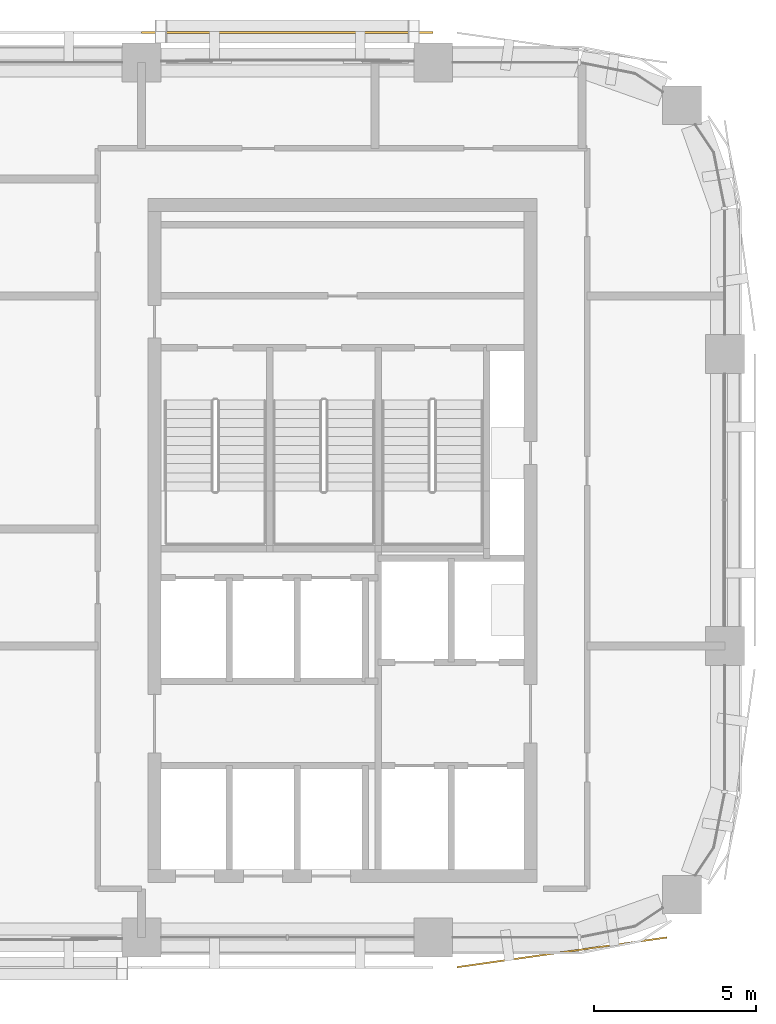
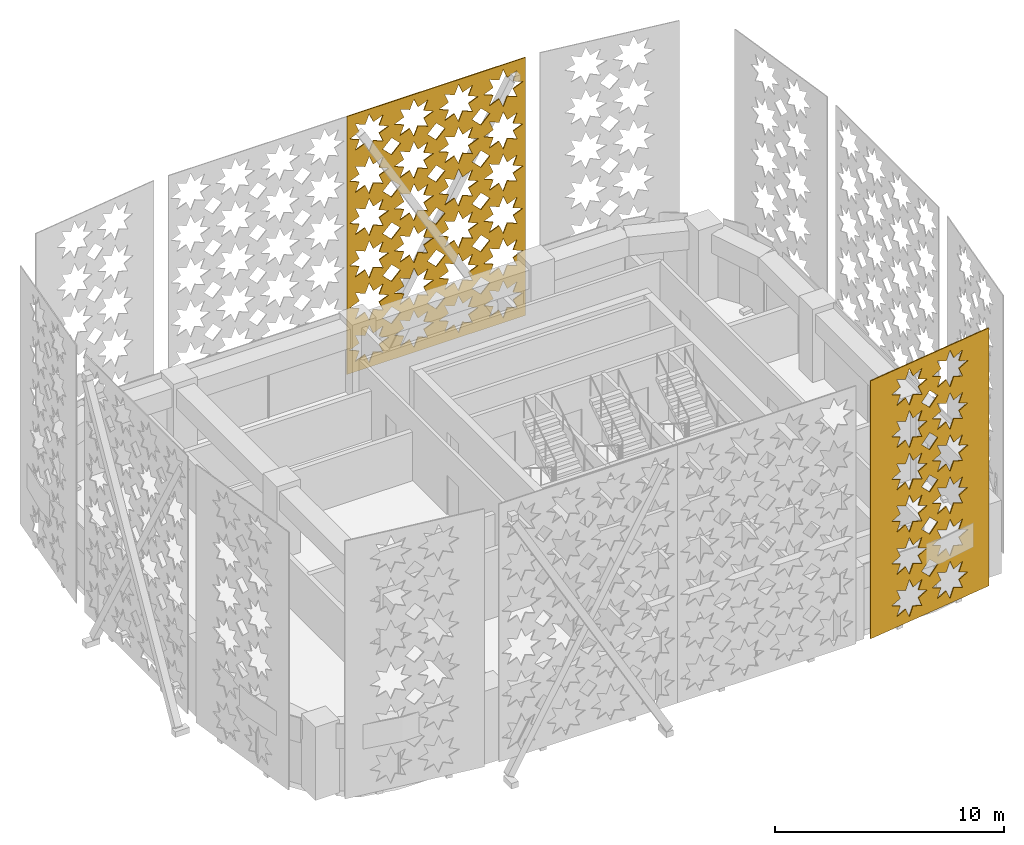
# One storey, part 15 of 17: 2 coverings.
"""IFC4 building model written with IfcOpenShell, lengths in metres."""

from ifc_helpers import new_model, si_unit, direction, frame, origin, place, context, subcontext, project, spatial, polyline, outline, extrude, material, layer, layer_set, type_object, element, save


model = new_model("IFC4")

# Units and contexts
model_context = context("Model", 3, precision=1e-05, world=origin(), true_north=direction((0.0, 1.0)))
body_context = subcontext(model_context, "Body", "Model", "MODEL_VIEW")
ifc_project = project(units=[si_unit("LENGTHUNIT", "METRE"), si_unit("AREAUNIT", "SQUARE_METRE"), si_unit("VOLUMEUNIT", "CUBIC_METRE"), si_unit("PLANEANGLEUNIT", "RADIAN"), si_unit("MASSUNIT", "GRAM", prefix="KILO")], contexts=[model_context])

# Site, building, storey
site_placement = place(None, origin())
site = spatial("IfcSite", under=ifc_project, at=site_placement, CompositionType="ELEMENT")
building_placement = place(site_placement, origin())
building = spatial("IfcBuilding", under=site, at=building_placement, Name="Tessera Arch", CompositionType="ELEMENT")
storey_placement = place(building_placement, frame((0.0, 0.0, 281.300048828125)))
storey = spatial("IfcBuildingStorey", under=building, at=storey_placement, Name="L68", CompositionType="ELEMENT", Elevation=281.300048828125)

# Coverings
ifc_material_1 = material(Name="Anodised aluminium pale metal", Category="aluminium")
ifc_layer_1 = layer(ifc_material_1, 0.050048828125)
ifc_layer_set_1 = layer_set([ifc_layer_1], Name="Pierced screen panel corner bay")
covering_type_1 = type_object("IfcCoveringType", Name="Pierced screen panel corner bay", PredefinedType="CLADDING", material=ifc_layer_set_1)
covering_1_placement = place(storey_placement, frame((45.72607421875, 26.10888671875, 13.89990234375), z_axis=(-0.140074186016, 0.990141011378, 0.0), x_axis=(0.990141011378, 0.140074186016, 0.0)))
element("IfcCovering", 1, at=covering_1_placement, inside=storey, type_object=covering_type_1, Name="SCREEN pierced panel S27.18/3 L68-L70", PredefinedType="CLADDING", context=body_context, shape_type="SweptSolid", body=[
    extrude(outline(polyline([(0.0, 0.0), (6.546475218445481, 0.0), (6.546475218445481, 13.739990234375), (0.0, 13.739990234375), (0.0, 0.0)]), holes=[polyline([(3.1378926073747033, 12.494873046875), (2.646957140062835, 12.287841796875), (2.8479028079497066, 11.794921875), (2.354999273675671, 11.995849609375), (2.147907671256942, 11.5048828125), (1.941990539265672, 11.995849609375), (1.4481200704102128, 11.794921875), (1.6490657382970841, 12.287841796875), (1.158130270985216, 12.494873046875), (1.6490657382970841, 12.701904296875), (1.4481200704102128, 13.195068359375), (1.941990539265672, 12.993896484375), (2.147907671256942, 13.48486328125), (2.354999273675671, 12.993896484375), (2.8479028079497066, 13.195068359375), (2.646957140062835, 12.701904296875), (3.1378926073747033, 12.494873046875)]), polyline([(3.1378926073747033, 10.244873046875), (2.646957140062835, 10.037841796875), (2.8479028079497066, 9.544921875), (2.354999273675671, 9.745849609375), (2.147907671256942, 9.2548828125), (1.941990539265672, 9.745849609375), (1.4481200704102128, 9.544921875), (1.6490657382970841, 10.037841796875), (1.158130270985216, 10.244873046875), (1.6490657382970841, 10.451904296875), (1.4481200704102128, 10.945068359375), (1.941990539265672, 10.743896484375), (2.147907671256942, 11.23486328125), (2.354999273675671, 10.743896484375), (2.8479028079497066, 10.945068359375), (2.646957140062835, 10.451904296875), (3.1378926073747033, 10.244873046875)]), polyline([(3.1378926073747033, 7.994873046875), (2.646957140062835, 7.787841796875), (2.8479028079497066, 7.294921875), (2.354999273675671, 7.495849609375), (2.147907671256942, 7.0048828125), (1.941990539265672, 7.495849609375), (1.4481200704102128, 7.294921875), (1.6490657382970841, 7.787841796875), (1.158130270985216, 7.994873046875), (1.6490657382970841, 8.201904296875), (1.4481200704102128, 8.695068359375), (1.941990539265672, 8.493896484375), (2.147907671256942, 8.98486328125), (2.354999273675671, 8.493896484375), (2.8479028079497066, 8.695068359375), (2.646957140062835, 8.201904296875), (3.1378926073747033, 7.994873046875)]), polyline([(3.1378926073747033, 5.744873046875), (2.646957140062835, 5.537841796875), (2.8479028079497066, 5.044921875), (2.354999273675671, 5.245849609375), (2.147907671256942, 4.7548828125), (1.941990539265672, 5.245849609375), (1.4481200704102128, 5.044921875), (1.6490657382970841, 5.537841796875), (1.158130270985216, 5.744873046875), (1.6490657382970841, 5.951904296875), (1.4481200704102128, 6.445068359375), (1.941990539265672, 6.243896484375), (2.147907671256942, 6.73486328125), (2.354999273675671, 6.243896484375), (2.8479028079497066, 6.445068359375), (2.646957140062835, 5.951904296875), (3.1378926073747033, 5.744873046875)]), polyline([(3.1378926073747033, 3.494873046875), (2.646957140062835, 3.287841796875), (2.8479028079497066, 2.794921875), (2.354999273675671, 2.995849609375), (2.147907671256942, 2.5048828125), (1.941990539265672, 2.995849609375), (1.4481200704102128, 2.794921875), (1.6490657382970841, 3.287841796875), (1.158130270985216, 3.494873046875), (1.6490657382970841, 3.701904296875), (1.4481200704102128, 4.195068359375), (1.941990539265672, 3.993896484375), (2.147907671256942, 4.48486328125), (2.354999273675671, 3.993896484375), (2.8479028079497066, 4.195068359375), (2.646957140062835, 3.701904296875), (3.1378926073747033, 3.494873046875)]), polyline([(3.1378926073747033, 1.244873046875), (2.646957140062835, 1.037841796875), (2.8479028079497066, 0.544921875), (2.354999273675671, 0.745849609375), (2.147907671256942, 0.2548828125), (1.941990539265672, 0.745849609375), (1.4481200704102128, 0.544921875), (1.6490657382970841, 1.037841796875), (1.158130270985216, 1.244873046875), (1.6490657382970841, 1.451904296875), (1.4481200704102128, 1.945068359375), (1.941990539265672, 1.743896484375), (2.147907671256942, 2.23486328125), (2.354999273675671, 1.743896484375), (2.8479028079497066, 1.945068359375), (2.646957140062835, 1.451904296875), (3.1378926073747033, 1.244873046875)]), polyline([(5.387861480169554, 12.494873046875), (4.896926012857686, 12.287841796875), (5.097871680744557, 11.794921875), (4.604968146470521, 11.995849609375), (4.398118277697149, 11.5048828125), (4.191959412060523, 11.995849609375), (3.698088943205064, 11.794921875), (3.899034611091935, 12.287841796875), (3.408099143780067, 12.494873046875), (3.899034611091935, 12.701904296875), (3.698088943205064, 13.195068359375), (4.191959412060523, 12.993896484375), (4.398118277697149, 13.48486328125), (4.604968146470521, 12.993896484375), (5.097871680744557, 13.195068359375), (4.896926012857686, 12.701904296875), (5.387861480169554, 12.494873046875)]), polyline([(5.387861480169554, 10.244873046875), (4.896926012857686, 10.037841796875), (5.097871680744557, 9.544921875), (4.604968146470521, 9.745849609375), (4.398118277697149, 9.2548828125), (4.191959412060523, 9.745849609375), (3.698088943205064, 9.544921875), (3.899034611091935, 10.037841796875), (3.408099143780067, 10.244873046875), (3.899034611091935, 10.451904296875), (3.698088943205064, 10.945068359375), (4.191959412060523, 10.743896484375), (4.398118277697149, 11.23486328125), (4.604968146470521, 10.743896484375), (5.097871680744557, 10.945068359375), (4.896926012857686, 10.451904296875), (5.387861480169554, 10.244873046875)]), polyline([(5.387861480169554, 7.994873046875), (4.896926012857686, 7.787841796875), (5.097871680744557, 7.294921875), (4.604968146470521, 7.495849609375), (4.398118277697149, 7.0048828125), (4.191959412060523, 7.495849609375), (3.698088943205064, 7.294921875), (3.899034611091935, 7.787841796875), (3.408099143780067, 7.994873046875), (3.899034611091935, 8.201904296875), (3.698088943205064, 8.695068359375), (4.191959412060523, 8.493896484375), (4.398118277697149, 8.98486328125), (4.604968146470521, 8.493896484375), (5.097871680744557, 8.695068359375), (4.896926012857686, 8.201904296875), (5.387861480169554, 7.994873046875)]), polyline([(5.387861480169554, 5.744873046875), (4.896926012857686, 5.537841796875), (5.097871680744557, 5.044921875), (4.604968146470521, 5.245849609375), (4.398118277697149, 4.7548828125), (4.191959412060523, 5.245849609375), (3.698088943205064, 5.044921875), (3.899034611091935, 5.537841796875), (3.408099143780067, 5.744873046875), (3.899034611091935, 5.951904296875), (3.698088943205064, 6.445068359375), (4.191959412060523, 6.243896484375), (4.398118277697149, 6.73486328125), (4.604968146470521, 6.243896484375), (5.097871680744557, 6.445068359375), (4.896926012857686, 5.951904296875), (5.387861480169554, 5.744873046875)]), polyline([(5.387861480169554, 3.494873046875), (4.896926012857686, 3.287841796875), (5.097871680744557, 2.794921875), (4.604968146470521, 2.995849609375), (4.398118277697149, 2.5048828125), (4.191959412060523, 2.995849609375), (3.698088943205064, 2.794921875), (3.899034611091935, 3.287841796875), (3.408099143780067, 3.494873046875), (3.899034611091935, 3.701904296875), (3.698088943205064, 4.195068359375), (4.191959412060523, 3.993896484375), (4.398118277697149, 4.48486328125), (4.604968146470521, 3.993896484375), (5.097871680744557, 4.195068359375), (4.896926012857686, 3.701904296875), (5.387861480169554, 3.494873046875)]), polyline([(5.387861480169554, 1.244873046875), (4.896926012857686, 1.037841796875), (5.097871680744557, 0.544921875), (4.604968146470521, 0.745849609375), (4.398118277697149, 0.2548828125), (4.191959412060523, 0.745849609375), (3.698088943205064, 0.544921875), (3.899034611091935, 1.037841796875), (3.408099143780067, 1.244873046875), (3.899034611091935, 1.451904296875), (3.698088943205064, 1.945068359375), (4.191959412060523, 1.743896484375), (4.398118277697149, 2.23486328125), (4.604968146470521, 1.743896484375), (5.097871680744557, 1.945068359375), (4.896926012857686, 1.451904296875), (5.387861480169554, 1.244873046875)]), polyline([(3.7229828105764913, 11.369873046875), (3.272995875577385, 10.919921875), (2.823008940578279, 11.369873046875), (3.272995875577385, 11.820068359375), (3.7229828105764913, 11.369873046875)]), polyline([(3.7229828105764913, 9.119873046875), (3.272995875577385, 8.669921875), (2.823008940578279, 9.119873046875), (3.272995875577385, 9.570068359375), (3.7229828105764913, 9.119873046875)]), polyline([(3.7229828105764913, 6.869873046875), (3.272995875577385, 6.419921875), (2.823008940578279, 6.869873046875), (3.272995875577385, 7.320068359375), (3.7229828105764913, 6.869873046875)]), polyline([(3.7229828105764913, 4.619873046875), (3.272995875577385, 4.169921875), (2.823008940578279, 4.619873046875), (3.272995875577385, 5.070068359375), (3.7229828105764913, 4.619873046875)]), polyline([(3.7229828105764913, 2.369873046875), (3.272995875577385, 1.919921875), (2.823008940578279, 2.369873046875), (3.272995875577385, 2.820068359375), (3.7229828105764913, 2.369873046875)])]), origin(), (0.0, 0.0, -1.0), 0.050048828125),
])
ifc_material_2 = material(Name="Anodised aluminium pale metal", Category="aluminium")
ifc_layer_2 = layer(ifc_material_2, 0.050048828125)
ifc_layer_set_2 = layer_set([ifc_layer_2], Name="Pierced screen panel straight bay")
covering_type_2 = type_object("IfcCoveringType", Name="Pierced screen panel straight bay", PredefinedType="CLADDING", material=ifc_layer_set_2)
covering_2_placement = place(storey_placement, frame((45.0, 54.89990234375, 13.89990234375), z_axis=(0.0, -1.0, 0.0), x_axis=(-1.0, 0.0, 0.0)))
element("IfcCovering", 2, at=covering_2_placement, inside=storey, type_object=covering_type_2, Name="SCREEN pierced panel N54.18/1 L68-L70", PredefinedType="CLADDING", context=body_context, shape_type="SweptSolid", body=[
    extrude(outline(polyline([(0.0, 0.0), (9.0, 0.0), (9.0, 13.739990234375), (0.0, 13.739990234375), (0.0, 0.0)]), holes=[polyline([(2.114990234375, 12.494873046875), (1.6240234375, 12.287841796875), (1.824951171875, 11.794921875), (1.33203125, 11.995849609375), (1.125, 11.5048828125), (0.91796875, 11.995849609375), (0.425048828125, 11.794921875), (0.6259765625, 12.287841796875), (0.135009765625, 12.494873046875), (0.6259765625, 12.701904296875), (0.425048828125, 13.195068359375), (0.91796875, 12.993896484375), (1.125, 13.48486328125), (1.33203125, 12.993896484375), (1.824951171875, 13.195068359375), (1.6240234375, 12.701904296875), (2.114990234375, 12.494873046875)]), polyline([(2.114990234375, 10.244873046875), (1.6240234375, 10.037841796875), (1.824951171875, 9.544921875), (1.33203125, 9.745849609375), (1.125, 9.2548828125), (0.91796875, 9.745849609375), (0.425048828125, 9.544921875), (0.6259765625, 10.037841796875), (0.135009765625, 10.244873046875), (0.6259765625, 10.451904296875), (0.425048828125, 10.945068359375), (0.91796875, 10.743896484375), (1.125, 11.23486328125), (1.33203125, 10.743896484375), (1.824951171875, 10.945068359375), (1.6240234375, 10.451904296875), (2.114990234375, 10.244873046875)]), polyline([(2.114990234375, 7.994873046875), (1.6240234375, 7.787841796875), (1.824951171875, 7.294921875), (1.33203125, 7.495849609375), (1.125, 7.0048828125), (0.91796875, 7.495849609375), (0.425048828125, 7.294921875), (0.6259765625, 7.787841796875), (0.135009765625, 7.994873046875), (0.6259765625, 8.201904296875), (0.425048828125, 8.695068359375), (0.91796875, 8.493896484375), (1.125, 8.98486328125), (1.33203125, 8.493896484375), (1.824951171875, 8.695068359375), (1.6240234375, 8.201904296875), (2.114990234375, 7.994873046875)]), polyline([(2.114990234375, 5.744873046875), (1.6240234375, 5.537841796875), (1.824951171875, 5.044921875), (1.33203125, 5.245849609375), (1.125, 4.7548828125), (0.91796875, 5.245849609375), (0.425048828125, 5.044921875), (0.6259765625, 5.537841796875), (0.135009765625, 5.744873046875), (0.6259765625, 5.951904296875), (0.425048828125, 6.445068359375), (0.91796875, 6.243896484375), (1.125, 6.73486328125), (1.33203125, 6.243896484375), (1.824951171875, 6.445068359375), (1.6240234375, 5.951904296875), (2.114990234375, 5.744873046875)]), polyline([(2.114990234375, 3.494873046875), (1.6240234375, 3.287841796875), (1.824951171875, 2.794921875), (1.33203125, 2.995849609375), (1.125, 2.5048828125), (0.91796875, 2.995849609375), (0.425048828125, 2.794921875), (0.6259765625, 3.287841796875), (0.135009765625, 3.494873046875), (0.6259765625, 3.701904296875), (0.425048828125, 4.195068359375), (0.91796875, 3.993896484375), (1.125, 4.48486328125), (1.33203125, 3.993896484375), (1.824951171875, 4.195068359375), (1.6240234375, 3.701904296875), (2.114990234375, 3.494873046875)]), polyline([(2.114990234375, 1.244873046875), (1.6240234375, 1.037841796875), (1.824951171875, 0.544921875), (1.33203125, 0.745849609375), (1.125, 0.2548828125), (0.91796875, 0.745849609375), (0.425048828125, 0.544921875), (0.6259765625, 1.037841796875), (0.135009765625, 1.244873046875), (0.6259765625, 1.451904296875), (0.425048828125, 1.945068359375), (0.91796875, 1.743896484375), (1.125, 2.23486328125), (1.33203125, 1.743896484375), (1.824951171875, 1.945068359375), (1.6240234375, 1.451904296875), (2.114990234375, 1.244873046875)]), polyline([(4.364990234375, 12.494873046875), (3.8740234375, 12.287841796875), (4.074951171875, 11.794921875), (3.58203125, 11.995849609375), (3.375, 11.5048828125), (3.16796875, 11.995849609375), (2.675048828125, 11.794921875), (2.8759765625, 12.287841796875), (2.385009765625, 12.494873046875), (2.8759765625, 12.701904296875), (2.675048828125, 13.195068359375), (3.16796875, 12.993896484375), (3.375, 13.48486328125), (3.58203125, 12.993896484375), (4.074951171875, 13.195068359375), (3.8740234375, 12.701904296875), (4.364990234375, 12.494873046875)]), polyline([(4.364990234375, 10.244873046875), (3.8740234375, 10.037841796875), (4.074951171875, 9.544921875), (3.58203125, 9.745849609375), (3.375, 9.2548828125), (3.16796875, 9.745849609375), (2.675048828125, 9.544921875), (2.8759765625, 10.037841796875), (2.385009765625, 10.244873046875), (2.8759765625, 10.451904296875), (2.675048828125, 10.945068359375), (3.16796875, 10.743896484375), (3.375, 11.23486328125), (3.58203125, 10.743896484375), (4.074951171875, 10.945068359375), (3.8740234375, 10.451904296875), (4.364990234375, 10.244873046875)]), polyline([(4.364990234375, 7.994873046875), (3.8740234375, 7.787841796875), (4.074951171875, 7.294921875), (3.58203125, 7.495849609375), (3.375, 7.0048828125), (3.16796875, 7.495849609375), (2.675048828125, 7.294921875), (2.8759765625, 7.787841796875), (2.385009765625, 7.994873046875), (2.8759765625, 8.201904296875), (2.675048828125, 8.695068359375), (3.16796875, 8.493896484375), (3.375, 8.98486328125), (3.58203125, 8.493896484375), (4.074951171875, 8.695068359375), (3.8740234375, 8.201904296875), (4.364990234375, 7.994873046875)]), polyline([(4.364990234375, 5.744873046875), (3.8740234375, 5.537841796875), (4.074951171875, 5.044921875), (3.58203125, 5.245849609375), (3.375, 4.7548828125), (3.16796875, 5.245849609375), (2.675048828125, 5.044921875), (2.8759765625, 5.537841796875), (2.385009765625, 5.744873046875), (2.8759765625, 5.951904296875), (2.675048828125, 6.445068359375), (3.16796875, 6.243896484375), (3.375, 6.73486328125), (3.58203125, 6.243896484375), (4.074951171875, 6.445068359375), (3.8740234375, 5.951904296875), (4.364990234375, 5.744873046875)]), polyline([(4.364990234375, 3.494873046875), (3.8740234375, 3.287841796875), (4.074951171875, 2.794921875), (3.58203125, 2.995849609375), (3.375, 2.5048828125), (3.16796875, 2.995849609375), (2.675048828125, 2.794921875), (2.8759765625, 3.287841796875), (2.385009765625, 3.494873046875), (2.8759765625, 3.701904296875), (2.675048828125, 4.195068359375), (3.16796875, 3.993896484375), (3.375, 4.48486328125), (3.58203125, 3.993896484375), (4.074951171875, 4.195068359375), (3.8740234375, 3.701904296875), (4.364990234375, 3.494873046875)]), polyline([(4.364990234375, 1.244873046875), (3.8740234375, 1.037841796875), (4.074951171875, 0.544921875), (3.58203125, 0.745849609375), (3.375, 0.2548828125), (3.16796875, 0.745849609375), (2.675048828125, 0.544921875), (2.8759765625, 1.037841796875), (2.385009765625, 1.244873046875), (2.8759765625, 1.451904296875), (2.675048828125, 1.945068359375), (3.16796875, 1.743896484375), (3.375, 2.23486328125), (3.58203125, 1.743896484375), (4.074951171875, 1.945068359375), (3.8740234375, 1.451904296875), (4.364990234375, 1.244873046875)]), polyline([(6.614990234375, 12.494873046875), (6.1240234375, 12.287841796875), (6.324951171875, 11.794921875), (5.83203125, 11.995849609375), (5.625, 11.5048828125), (5.41796875, 11.995849609375), (4.925048828125, 11.794921875), (5.1259765625, 12.287841796875), (4.635009765625, 12.494873046875), (5.1259765625, 12.701904296875), (4.925048828125, 13.195068359375), (5.41796875, 12.993896484375), (5.625, 13.48486328125), (5.83203125, 12.993896484375), (6.324951171875, 13.195068359375), (6.1240234375, 12.701904296875), (6.614990234375, 12.494873046875)]), polyline([(6.614990234375, 10.244873046875), (6.1240234375, 10.037841796875), (6.324951171875, 9.544921875), (5.83203125, 9.745849609375), (5.625, 9.2548828125), (5.41796875, 9.745849609375), (4.925048828125, 9.544921875), (5.1259765625, 10.037841796875), (4.635009765625, 10.244873046875), (5.1259765625, 10.451904296875), (4.925048828125, 10.945068359375), (5.41796875, 10.743896484375), (5.625, 11.23486328125), (5.83203125, 10.743896484375), (6.324951171875, 10.945068359375), (6.1240234375, 10.451904296875), (6.614990234375, 10.244873046875)]), polyline([(6.614990234375, 7.994873046875), (6.1240234375, 7.787841796875), (6.324951171875, 7.294921875), (5.83203125, 7.495849609375), (5.625, 7.0048828125), (5.41796875, 7.495849609375), (4.925048828125, 7.294921875), (5.1259765625, 7.787841796875), (4.635009765625, 7.994873046875), (5.1259765625, 8.201904296875), (4.925048828125, 8.695068359375), (5.41796875, 8.493896484375), (5.625, 8.98486328125), (5.83203125, 8.493896484375), (6.324951171875, 8.695068359375), (6.1240234375, 8.201904296875), (6.614990234375, 7.994873046875)]), polyline([(6.614990234375, 5.744873046875), (6.1240234375, 5.537841796875), (6.324951171875, 5.044921875), (5.83203125, 5.245849609375), (5.625, 4.7548828125), (5.41796875, 5.245849609375), (4.925048828125, 5.044921875), (5.1259765625, 5.537841796875), (4.635009765625, 5.744873046875), (5.1259765625, 5.951904296875), (4.925048828125, 6.445068359375), (5.41796875, 6.243896484375), (5.625, 6.73486328125), (5.83203125, 6.243896484375), (6.324951171875, 6.445068359375), (6.1240234375, 5.951904296875), (6.614990234375, 5.744873046875)]), polyline([(6.614990234375, 3.494873046875), (6.1240234375, 3.287841796875), (6.324951171875, 2.794921875), (5.83203125, 2.995849609375), (5.625, 2.5048828125), (5.41796875, 2.995849609375), (4.925048828125, 2.794921875), (5.1259765625, 3.287841796875), (4.635009765625, 3.494873046875), (5.1259765625, 3.701904296875), (4.925048828125, 4.195068359375), (5.41796875, 3.993896484375), (5.625, 4.48486328125), (5.83203125, 3.993896484375), (6.324951171875, 4.195068359375), (6.1240234375, 3.701904296875), (6.614990234375, 3.494873046875)]), polyline([(6.614990234375, 1.244873046875), (6.1240234375, 1.037841796875), (6.324951171875, 0.544921875), (5.83203125, 0.745849609375), (5.625, 0.2548828125), (5.41796875, 0.745849609375), (4.925048828125, 0.544921875), (5.1259765625, 1.037841796875), (4.635009765625, 1.244873046875), (5.1259765625, 1.451904296875), (4.925048828125, 1.945068359375), (5.41796875, 1.743896484375), (5.625, 2.23486328125), (5.83203125, 1.743896484375), (6.324951171875, 1.945068359375), (6.1240234375, 1.451904296875), (6.614990234375, 1.244873046875)]), polyline([(8.864990234375, 12.494873046875), (8.3740234375, 12.287841796875), (8.574951171875, 11.794921875), (8.08203125, 11.995849609375), (7.875, 11.5048828125), (7.66796875, 11.995849609375), (7.175048828125, 11.794921875), (7.3759765625, 12.287841796875), (6.885009765625, 12.494873046875), (7.3759765625, 12.701904296875), (7.175048828125, 13.195068359375), (7.66796875, 12.993896484375), (7.875, 13.48486328125), (8.08203125, 12.993896484375), (8.574951171875, 13.195068359375), (8.3740234375, 12.701904296875), (8.864990234375, 12.494873046875)]), polyline([(8.864990234375, 10.244873046875), (8.3740234375, 10.037841796875), (8.574951171875, 9.544921875), (8.08203125, 9.745849609375), (7.875, 9.2548828125), (7.66796875, 9.745849609375), (7.175048828125, 9.544921875), (7.3759765625, 10.037841796875), (6.885009765625, 10.244873046875), (7.3759765625, 10.451904296875), (7.175048828125, 10.945068359375), (7.66796875, 10.743896484375), (7.875, 11.23486328125), (8.08203125, 10.743896484375), (8.574951171875, 10.945068359375), (8.3740234375, 10.451904296875), (8.864990234375, 10.244873046875)]), polyline([(8.864990234375, 7.994873046875), (8.3740234375, 7.787841796875), (8.574951171875, 7.294921875), (8.08203125, 7.495849609375), (7.875, 7.0048828125), (7.66796875, 7.495849609375), (7.175048828125, 7.294921875), (7.3759765625, 7.787841796875), (6.885009765625, 7.994873046875), (7.3759765625, 8.201904296875), (7.175048828125, 8.695068359375), (7.66796875, 8.493896484375), (7.875, 8.98486328125), (8.08203125, 8.493896484375), (8.574951171875, 8.695068359375), (8.3740234375, 8.201904296875), (8.864990234375, 7.994873046875)]), polyline([(8.864990234375, 5.744873046875), (8.3740234375, 5.537841796875), (8.574951171875, 5.044921875), (8.08203125, 5.245849609375), (7.875, 4.7548828125), (7.66796875, 5.245849609375), (7.175048828125, 5.044921875), (7.3759765625, 5.537841796875), (6.885009765625, 5.744873046875), (7.3759765625, 5.951904296875), (7.175048828125, 6.445068359375), (7.66796875, 6.243896484375), (7.875, 6.73486328125), (8.08203125, 6.243896484375), (8.574951171875, 6.445068359375), (8.3740234375, 5.951904296875), (8.864990234375, 5.744873046875)]), polyline([(8.864990234375, 3.494873046875), (8.3740234375, 3.287841796875), (8.574951171875, 2.794921875), (8.08203125, 2.995849609375), (7.875, 2.5048828125), (7.66796875, 2.995849609375), (7.175048828125, 2.794921875), (7.3759765625, 3.287841796875), (6.885009765625, 3.494873046875), (7.3759765625, 3.701904296875), (7.175048828125, 4.195068359375), (7.66796875, 3.993896484375), (7.875, 4.48486328125), (8.08203125, 3.993896484375), (8.574951171875, 4.195068359375), (8.3740234375, 3.701904296875), (8.864990234375, 3.494873046875)]), polyline([(8.864990234375, 1.244873046875), (8.3740234375, 1.037841796875), (8.574951171875, 0.544921875), (8.08203125, 0.745849609375), (7.875, 0.2548828125), (7.66796875, 0.745849609375), (7.175048828125, 0.544921875), (7.3759765625, 1.037841796875), (6.885009765625, 1.244873046875), (7.3759765625, 1.451904296875), (7.175048828125, 1.945068359375), (7.66796875, 1.743896484375), (7.875, 2.23486328125), (8.08203125, 1.743896484375), (8.574951171875, 1.945068359375), (8.3740234375, 1.451904296875), (8.864990234375, 1.244873046875)]), polyline([(2.699951171875, 11.369873046875), (2.25, 10.919921875), (1.800048828125, 11.369873046875), (2.25, 11.820068359375), (2.699951171875, 11.369873046875)]), polyline([(2.699951171875, 9.119873046875), (2.25, 8.669921875), (1.800048828125, 9.119873046875), (2.25, 9.570068359375), (2.699951171875, 9.119873046875)]), polyline([(2.699951171875, 6.869873046875), (2.25, 6.419921875), (1.800048828125, 6.869873046875), (2.25, 7.320068359375), (2.699951171875, 6.869873046875)]), polyline([(2.699951171875, 4.619873046875), (2.25, 4.169921875), (1.800048828125, 4.619873046875), (2.25, 5.070068359375), (2.699951171875, 4.619873046875)]), polyline([(2.699951171875, 2.369873046875), (2.25, 1.919921875), (1.800048828125, 2.369873046875), (2.25, 2.820068359375), (2.699951171875, 2.369873046875)]), polyline([(4.949951171875, 11.369873046875), (4.5, 10.919921875), (4.050048828125, 11.369873046875), (4.5, 11.820068359375), (4.949951171875, 11.369873046875)]), polyline([(4.949951171875, 9.119873046875), (4.5, 8.669921875), (4.050048828125, 9.119873046875), (4.5, 9.570068359375), (4.949951171875, 9.119873046875)]), polyline([(4.949951171875, 6.869873046875), (4.5, 6.419921875), (4.050048828125, 6.869873046875), (4.5, 7.320068359375), (4.949951171875, 6.869873046875)]), polyline([(4.949951171875, 4.619873046875), (4.5, 4.169921875), (4.050048828125, 4.619873046875), (4.5, 5.070068359375), (4.949951171875, 4.619873046875)]), polyline([(4.949951171875, 2.369873046875), (4.5, 1.919921875), (4.050048828125, 2.369873046875), (4.5, 2.820068359375), (4.949951171875, 2.369873046875)]), polyline([(7.199951171875, 11.369873046875), (6.75, 10.919921875), (6.300048828125, 11.369873046875), (6.75, 11.820068359375), (7.199951171875, 11.369873046875)]), polyline([(7.199951171875, 9.119873046875), (6.75, 8.669921875), (6.300048828125, 9.119873046875), (6.75, 9.570068359375), (7.199951171875, 9.119873046875)]), polyline([(7.199951171875, 6.869873046875), (6.75, 6.419921875), (6.300048828125, 6.869873046875), (6.75, 7.320068359375), (7.199951171875, 6.869873046875)]), polyline([(7.199951171875, 4.619873046875), (6.75, 4.169921875), (6.300048828125, 4.619873046875), (6.75, 5.070068359375), (7.199951171875, 4.619873046875)]), polyline([(7.199951171875, 2.369873046875), (6.75, 1.919921875), (6.300048828125, 2.369873046875), (6.75, 2.820068359375), (7.199951171875, 2.369873046875)])]), origin(), (0.0, 0.0, -1.0), 0.050048828125),
])

save(model, "model.ifc")
